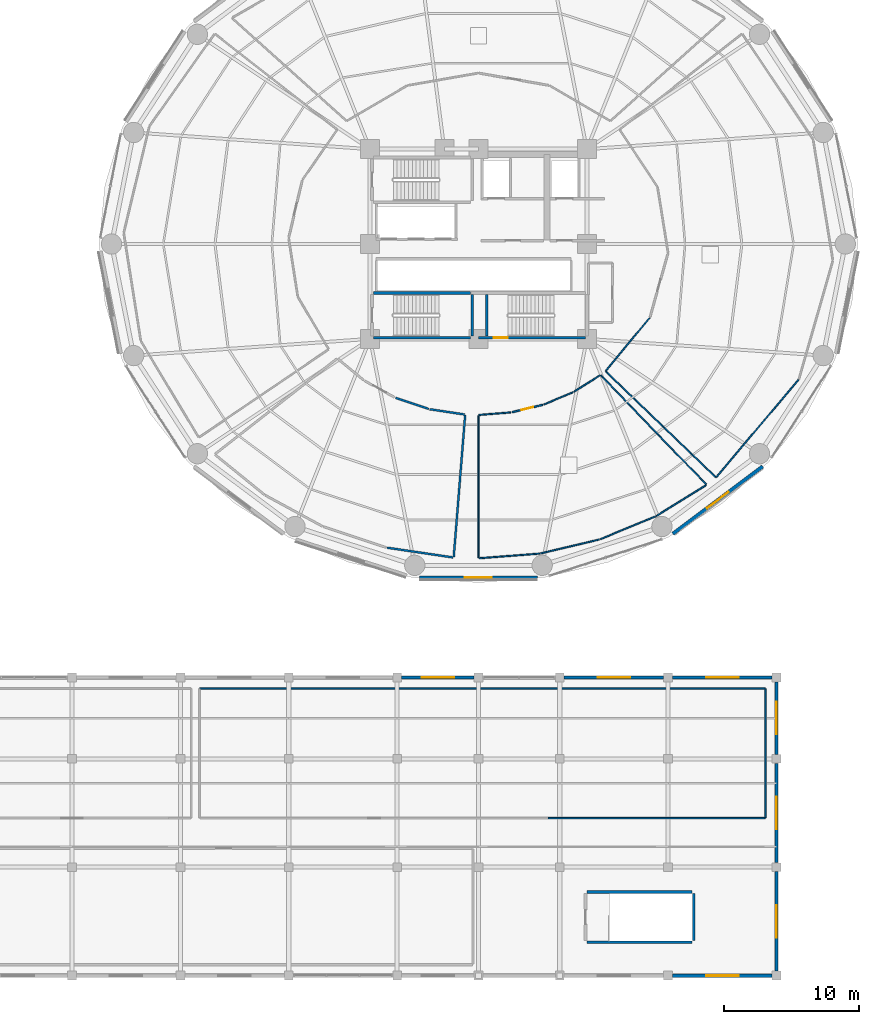
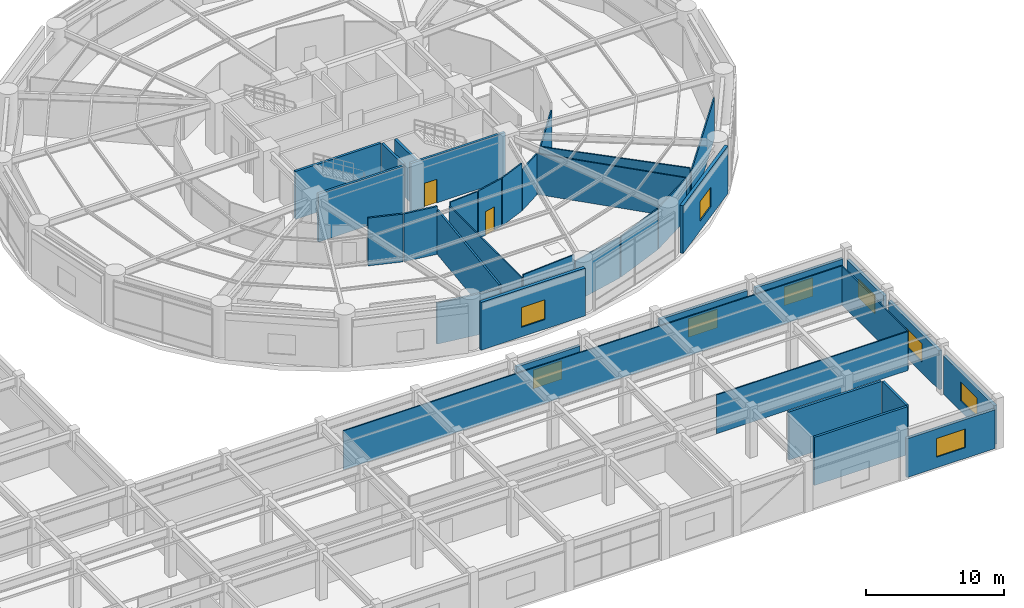
# One storey, part 38 of 46: 37 walls, 9 windows, 2 doors, 11 openings.
"""IFC4 building model written with IfcOpenShell, lengths in metres."""

import ifcopenshell
import ifcopenshell.guid

model = None  # the IFC model being written
_history = None  # IfcOwnerHistory: only IFC2X3 demands one
_inside = {}  # id of a spatial element -> (the spatial element, [elements in it])
_under = {}  # id of a project, library or spatial element -> (it, [spatial elements below it])
_declared = {}  # id of a project -> (the project, [libraries it declares])
_typed = {}  # id of a type object -> (the type object, [elements of that type])
_made_of = {}  # id of a material, layer set ... -> (it, [elements and type objects made of it])


def new_model(schema):
    """Start an empty IFC model of exactly this schema.

    Asked for "IFC4X3", IfcOpenShell would pick the latest addendum, in which some entities
    have other attributes; the version numbers below select the first issue.
    IFC2X3 requires an IfcOwnerHistory on every rooted entity: one is made here for all.
    """
    global model, _history
    if schema == "IFC4X3":
        model = ifcopenshell.file(schema_version=(4, 3, 0, 0))
    else:
        model = ifcopenshell.file(schema=schema)
    _inside.clear()
    _under.clear()
    _declared.clear()
    _typed.clear()
    _made_of.clear()
    _history = None
    if model.schema == "IFC2X3":
        org = make("IfcOrganization", Name="unknown")
        user = make(
            "IfcPersonAndOrganization",
            ThePerson=make("IfcPerson", FamilyName="unknown"),
            TheOrganization=org,
        )
        app = make(
            "IfcApplication",
            ApplicationDeveloper=org,
            Version="unknown",
            ApplicationFullName="unknown",
            ApplicationIdentifier="unknown",
        )
        _history = make(
            "IfcOwnerHistory",
            OwningUser=user,
            OwningApplication=app,
            ChangeAction="ADDED",
            CreationDate=0,
        )
    return model


def make(cls, **values):
    """One entity of the class cls with the attributes given. An attribute that is None is left unset."""
    return model.create_entity(
        cls, **{name: value for name, value in values.items() if value is not None}
    )


def rooted(cls, **values):
    """An entity with a GlobalId (a new one), such as an element, a storey or a relation."""
    return make(cls, GlobalId=ifcopenshell.guid.new(), OwnerHistory=_history, **values)


def si_unit(unit_type, name, prefix=None):
    """IfcSIUnit, for example si_unit("LENGTHUNIT", "METRE", prefix="MILLI")."""
    return make("IfcSIUnit", UnitType=unit_type, Prefix=prefix, Name=name)


def assignment(units):
    """IfcUnitAssignment: the units of a project."""
    return None if units is None else make("IfcUnitAssignment", Units=units)


def point(xyz):
    """IfcCartesianPoint."""
    return None if xyz is None else make("IfcCartesianPoint", Coordinates=xyz)


def direction(xyz):
    """IfcDirection."""
    return None if xyz is None else make("IfcDirection", DirectionRatios=xyz)


def frame(location, z_axis=None, x_axis=None):
    """IfcAxis2Placement3D, a coordinate frame: its origin and axes. An axis left out is left unset."""
    return make(
        "IfcAxis2Placement3D",
        Location=point(location),
        Axis=direction(z_axis),
        RefDirection=direction(x_axis),
    )


def frame_2d(location, x_axis=None):
    """IfcAxis2Placement2D, a coordinate frame in the plane: its origin and x axis."""
    return make(
        "IfcAxis2Placement2D", Location=point(location), RefDirection=direction(x_axis)
    )


def origin():
    """The frame at (0, 0, 0) with its axes left unset."""
    return frame((0.0, 0.0, 0.0))


def place(relative_to, where):
    """IfcLocalPlacement: puts the frame where relative to a parent placement (None: the world)."""
    return make(
        "IfcLocalPlacement", PlacementRelTo=relative_to, RelativePlacement=where
    )


def context(
    kind, dimensions, precision=None, world=None, true_north=None, identifier=None
):
    """IfcGeometricRepresentationContext, for example the 3D "Model" context."""
    return make(
        "IfcGeometricRepresentationContext",
        ContextIdentifier=identifier,
        ContextType=kind,
        CoordinateSpaceDimension=dimensions,
        Precision=precision,
        WorldCoordinateSystem=world,
        TrueNorth=true_north,
    )


def subcontext(parent, identifier, kind, view, scale=None):
    """IfcGeometricRepresentationSubContext, for example "Body" below "Model"."""
    return make(
        "IfcGeometricRepresentationSubContext",
        ContextIdentifier=identifier,
        ContextType=kind,
        ParentContext=parent,
        TargetScale=scale,
        TargetView=view,
    )


def project(units=None, contexts=None):
    """IfcProject with its units and contexts."""
    return rooted(
        "IfcProject",
        Name="project",
        RepresentationContexts=contexts,
        UnitsInContext=assignment(units),
    )


def spatial(cls, under=None, at=None, **own):
    """A site, building, storey or space (cls), placed at a placement, below another one or the project."""
    s = rooted(cls, ObjectPlacement=at, **own)
    if under is not None:
        _under.setdefault(under.id(), (under, []))[1].append(s)
    return s


def profile(cls, at=None, kind="AREA", **sizes):
    """A parametric profile (cls). Its sizes go by their IFC names, for example OverallWidth=200.0."""
    return make(cls, ProfileType=kind, Position=at, **sizes)


def rectangle(**sizes):
    """IfcRectangleProfileDef."""
    return profile("IfcRectangleProfileDef", **sizes)


def extrude(swept, where, along, depth):
    """IfcExtrudedAreaSolid: the profile swept, set in the frame where, extruded along a direction by depth."""
    return make(
        "IfcExtrudedAreaSolid",
        SweptArea=swept,
        Position=where,
        ExtrudedDirection=direction(along),
        Depth=depth,
    )


def shape(context_of_items, identifier, shape_type, items):
    """IfcShapeRepresentation: the items that make up one representation, for example the "Body"."""
    return make(
        "IfcShapeRepresentation",
        ContextOfItems=context_of_items,
        RepresentationIdentifier=identifier,
        RepresentationType=shape_type,
        Items=items,
    )


def material(Name=None, Category=None):
    """IfcMaterial."""
    return make("IfcMaterial", Name=Name, Category=Category)


def layer(
    of_material, thickness, ventilated=None, Name=None, Category=None, Priority=None
):
    """IfcMaterialLayer: one layer of a wall or slab, of a material (None: an air gap)."""
    return make(
        "IfcMaterialLayer",
        Material=of_material,
        LayerThickness=thickness,
        IsVentilated=ventilated,
        Name=Name,
        Category=Category,
        Priority=Priority,
    )


def layer_set(layers, Name=None):
    """IfcMaterialLayerSet."""
    return make("IfcMaterialLayerSet", MaterialLayers=layers, LayerSetName=Name)


def made_of(thing, what):
    """Note that an element or type object is made of a material, layer set ...; save() writes the relation."""
    if what is not None:
        _made_of.setdefault(what.id(), (what, []))[1].append(thing)
    return thing


def type_object(cls, material=None, **own):
    """A type object (cls), such as IfcWallType, which elements share."""
    return made_of(rooted(cls, **own), material)


def element(
    cls,
    number,
    at=None,
    inside=None,
    cuts=None,
    type_object=None,
    material=None,
    context=None,
    identifier="Body",
    shape_type=None,
    held_by="IfcProductDefinitionShape",
    body=None,
    shapes=None,
    **own,
):
    """One element of the class cls, such as IfcWall. Its Tag is "e" and its number.

    at: its placement. inside: the storey or other place that contains it. cuts: it is an
    opening in that element (IfcRelVoidsElement). A single representation is given by context,
    identifier, shape_type and body (its items); several are given by shapes. held_by: the class
    of the entity that holds the representations. save() writes the other relations.
    """
    e = rooted(cls, Tag="e%d" % number, ObjectPlacement=at, **own)
    if body is not None:
        shapes = [shape(context, identifier, shape_type, body)]
    if shapes is not None:
        e.Representation = make(held_by, Representations=shapes)
    if inside is not None:
        _inside.setdefault(inside.id(), (inside, []))[1].append(e)
    if cuts is not None:
        rooted(
            "IfcRelVoidsElement", RelatingBuildingElement=cuts, RelatedOpeningElement=e
        )
    if type_object is not None:
        _typed.setdefault(type_object.id(), (type_object, []))[1].append(e)
    return made_of(e, material)


def fill(opening, filler):
    """IfcRelFillsElement: the door or window that sits in an opening."""
    return rooted(
        "IfcRelFillsElement",
        RelatingOpeningElement=opening,
        RelatedBuildingElement=filler,
    )


def aggregate(whole, parts):
    """IfcRelAggregates: a whole, such as a stair, and the parts it consists of."""
    return rooted("IfcRelAggregates", RelatingObject=whole, RelatedObjects=parts)


def save(model, path):
    """Write the relations noted so far, then the file.

    IfcRelAggregates (storeys below a building ...), IfcRelContainedInSpatialStructure (elements
    in a storey), IfcRelDefinesByType, IfcRelAssociatesMaterial and IfcRelDeclares: one each for
    every whole, place, type object, material and project.
    """
    for whole, parts in _under.values():
        aggregate(whole, parts)
    for where, things in _inside.values():
        rooted(
            "IfcRelContainedInSpatialStructure",
            RelatedElements=things,
            RelatingStructure=where,
        )
    for kind, things in _typed.values():
        rooted("IfcRelDefinesByType", RelatedObjects=things, RelatingType=kind)
    for what, things in _made_of.values():
        rooted("IfcRelAssociatesMaterial", RelatedObjects=things, RelatingMaterial=what)
    for by, libraries in _declared.values():
        rooted("IfcRelDeclares", RelatingContext=by, RelatedDefinitions=libraries)
    model.write(path)


model = new_model("IFC4")

# Units and contexts
model_context = context("Model", 3, precision=1e-05, world=origin(), true_north=direction((0.0, 1.0)))
body_context = subcontext(model_context, "Body", "Model", "MODEL_VIEW")
ifc_project = project(units=[si_unit("LENGTHUNIT", "METRE"), si_unit("AREAUNIT", "SQUARE_METRE"), si_unit("VOLUMEUNIT", "CUBIC_METRE"), si_unit("PLANEANGLEUNIT", "RADIAN"), si_unit("MASSUNIT", "GRAM", prefix="KILO")], contexts=[model_context])

# Site, building, storey
site_placement = place(None, origin())
site = spatial("IfcSite", under=ifc_project, at=site_placement, CompositionType="ELEMENT")
building_placement = place(site_placement, origin())
building = spatial("IfcBuilding", under=site, at=building_placement, Name="Kelanora Arch Commons", CompositionType="ELEMENT")
storey_placement = place(building_placement, frame((0.0, 0.0, 18.0)))
storey = spatial("IfcBuildingStorey", under=building, at=storey_placement, Name="L04", CompositionType="ELEMENT", Elevation=18.0)

# Walls
ifc_material_1 = material(Name="Autoclaved aerated concrete blockwork with fire plaster", Category="masonry")
ifc_layer_1 = layer(ifc_material_1, 0.14990234375)
ifc_layer_set_1 = layer_set([ifc_layer_1], Name="Autoclaved aerated concrete blockwork with fire plaster")
wall_type_1 = type_object("IfcWallType", Name="W-COMP-150", PredefinedType="PARTITIONING", material=ifc_layer_set_1)
wall_1_placement = place(storey_placement, frame((67.891845703125, 46.644287109375, 0.0), z_axis=(0.0, 0.0, 1.0), x_axis=(0.947769420815, -0.318956305735, 0.0)))
element("IfcWall", 1, at=wall_1_placement, inside=storey, type_object=wall_type_1, Name="Podium Student Trunk and Linen Store L04 Enclosure Partition 3", PredefinedType="PARTITIONING", context=body_context, shape_type="SweptSolid", body=[
    extrude(rectangle(XDim=2.57568359375, YDim=0.14990234375, at=frame_2d((1.287841796875, 0.0))), origin(), (0.0, 0.0, 1.0), 4.22998046875),
])
wall_2_placement = place(storey_placement, frame((70.41064453125, 45.803955078125, 0.0), z_axis=(0.0, 0.0, 1.0), x_axis=(0.988868771435, -0.148790298341, 0.0)))
element("IfcWall", 2, at=wall_2_placement, inside=storey, type_object=wall_type_1, Name="Podium Student Trunk and Linen Store L04 Enclosure Partition 4", PredefinedType="PARTITIONING", context=body_context, shape_type="SweptSolid", body=[
    extrude(rectangle(XDim=2.600830078125, YDim=0.14990234375, at=frame_2d((1.30029296875, 0.0))), origin(), (0.0, 0.0, 1.0), 4.22998046875),
])
wall_3_placement = place(storey_placement, frame((73.018798828125, 45.37109375, 0.0), z_axis=(0.0, 0.0, 1.0), x_axis=(-0.080272494624, -0.996772956398, 0.0)))
element("IfcWall", 3, at=wall_3_placement, inside=storey, type_object=wall_type_1, Name="Podium Student Trunk and Linen Store L04 Enclosure Partition 5", PredefinedType="PARTITIONING", context=body_context, shape_type="SweptSolid", body=[
    extrude(rectangle(XDim=10.508056640625, YDim=0.14990234375, at=frame_2d((5.25390625, 0.0))), origin(), (0.0, 0.0, 1.0), 3.925048828125),
])
wall_4_placement = place(storey_placement, frame((72.13232421875, 34.86279296875, 0.0), z_axis=(0.0, 0.0, 1.0), x_axis=(-0.989192551677, 0.146622289256, 0.0)))
element("IfcWall", 4, at=wall_4_placement, inside=storey, type_object=wall_type_1, Name="Podium Student Trunk and Linen Store L04 Enclosure Partition 6", PredefinedType="PARTITIONING", context=body_context, shape_type="SweptSolid", body=[
    extrude(rectangle(XDim=4.927001953125, YDim=0.14990234375, at=frame_2d((2.46337890625, 0.0))), origin(), (0.0, 0.0, 1.0), 3.625),
])

# Wall, opening, window
ifc_material_2 = material(Name="Precast concrete C40/50 with terracotta ceramic cladding", Category="masonry")
ifc_layer_2 = layer(ifc_material_2, 0.25)
ifc_layer_set_2 = layer_set([ifc_layer_2], Name="Precast concrete C40/50 with terracotta ceramic cladding")
wall_type_2 = type_object("IfcWallType", Name="W-EXT-MKT", PredefinedType="SOLIDWALL", material=ifc_layer_set_2)
wall_5_placement = place(storey_placement, frame((88.330078125, 4.0, 0.0), z_axis=(0.0, 0.0, 1.0), x_axis=(1.0, 0.0, 0.0)))
wall_5 = element("IfcWall", 5, at=wall_5_placement, inside=storey, type_object=wall_type_2, Name="Market Hall Exterior Wall L04-11", PredefinedType="SOLIDWALL", context=body_context, shape_type="SweptSolid", body=[
    extrude(rectangle(XDim=7.33984375, YDim=0.25, at=frame_2d((3.669921875, 0.0))), origin(), (0.0, 0.0, 1.0), 3.43994140625),
])
opening_1_placement = place(wall_5_placement, frame((2.469970703125, 0.0, 0.949951171875)))
opening_1 = element("IfcOpeningElement", 6, at=opening_1_placement, cuts=wall_5, Name="Opening WN-03", PredefinedType="OPENING", context=body_context, shape_type="SweptSolid", body=[
    extrude(rectangle(XDim=2.39990234375, YDim=1.64990234375, at=frame_2d((1.199951171875, 0.824951171875))), frame((0.0, 0.135009765625, 0.0), z_axis=(0.0, -1.0, 0.0), x_axis=(1.0, 0.0, 0.0)), (0.0, 0.0, 1.0), 0.27001953125),
])
ifc_material_3 = material(Name="Bronze-terracotta aluminium monsoon clerestory window", Category="masonry")
window_type_1 = type_object("IfcWindowType", Name="WIN-MKT-24", PartitioningType="TRIPLE_PANEL_VERTICAL", PredefinedType="WINDOW", material=ifc_material_3)
window_1_placement = place(opening_1_placement, origin())
window_1 = element("IfcWindow", 7, at=window_1_placement, inside=storey, type_object=window_type_1, Name="Market Hall Clerestory Window L04-11", OverallHeight=1.64990234375, OverallWidth=2.39990234375, PartitioningType="SINGLE_PANEL", PredefinedType="WINDOW", context=body_context, shape_type="SweptSolid", body=[
    extrude(rectangle(XDim=2.39990234375, YDim=1.64990234375, at=frame_2d((1.199951171875, 0.824951171875))), frame((0.0, 0.030029296875, 0.0), z_axis=(0.0, -1.0, 0.0), x_axis=(1.0, 0.0, 0.0)), (0.0, 0.0, 1.0), 0.06005859375),
])
fill(opening_1, window_1)

wall_6_placement = place(storey_placement, frame((96.0, 4.330078125, 0.0), z_axis=(0.0, 0.0, 1.0), x_axis=(0.0, 1.0, 0.0)))
wall_6 = element("IfcWall", 8, at=wall_6_placement, inside=storey, type_object=wall_type_2, Name="Market Hall Exterior Wall L04-12", PredefinedType="SOLIDWALL", context=body_context, shape_type="SweptSolid", body=[
    extrude(rectangle(XDim=7.33984375, YDim=0.25, at=frame_2d((3.669921875, 0.0))), origin(), (0.0, 0.0, 1.0), 3.43994140625),
])
opening_2_placement = place(wall_6_placement, frame((2.469970703125, 0.0, 0.949951171875)))
opening_2 = element("IfcOpeningElement", 9, at=opening_2_placement, cuts=wall_6, Name="Opening WN-03", PredefinedType="OPENING", context=body_context, shape_type="SweptSolid", body=[
    extrude(rectangle(XDim=2.39990234375, YDim=1.64990234375, at=frame_2d((1.199951171875, 0.824951171875))), frame((0.0, 0.135009765625, 0.0), z_axis=(0.0, -1.0, 0.0), x_axis=(1.0, 0.0, 0.0)), (0.0, 0.0, 1.0), 0.27001953125),
])
window_2_placement = place(opening_2_placement, origin())
window_2 = element("IfcWindow", 10, at=window_2_placement, inside=storey, type_object=window_type_1, Name="Market Hall Clerestory Window L04-12", OverallHeight=1.64990234375, OverallWidth=2.39990234375, PartitioningType="SINGLE_PANEL", PredefinedType="WINDOW", context=body_context, shape_type="SweptSolid", body=[
    extrude(rectangle(XDim=2.39990234375, YDim=1.64990234375, at=frame_2d((1.199951171875, 0.824951171875))), frame((0.0, 0.030029296875, 0.0), z_axis=(0.0, -1.0, 0.0), x_axis=(1.0, 0.0, 0.0)), (0.0, 0.0, 1.0), 0.06005859375),
])
fill(opening_2, window_2)

wall_7_placement = place(storey_placement, frame((96.0, 12.330078125, 0.0), z_axis=(0.0, 0.0, 1.0), x_axis=(0.0, 1.0, 0.0)))
wall_7 = element("IfcWall", 11, at=wall_7_placement, inside=storey, type_object=wall_type_2, Name="Market Hall Exterior Wall L04-13", PredefinedType="SOLIDWALL", context=body_context, shape_type="SweptSolid", body=[
    extrude(rectangle(XDim=7.33984375, YDim=0.25, at=frame_2d((3.669921875, 0.0))), origin(), (0.0, 0.0, 1.0), 3.43994140625),
])
opening_3_placement = place(wall_7_placement, frame((2.469970703125, 0.0, 0.949951171875)))
opening_3 = element("IfcOpeningElement", 12, at=opening_3_placement, cuts=wall_7, Name="Opening WN-03", PredefinedType="OPENING", context=body_context, shape_type="SweptSolid", body=[
    extrude(rectangle(XDim=2.39990234375, YDim=1.64990234375, at=frame_2d((1.199951171875, 0.824951171875))), frame((0.0, 0.135009765625, 0.0), z_axis=(0.0, -1.0, 0.0), x_axis=(1.0, 0.0, 0.0)), (0.0, 0.0, 1.0), 0.27001953125),
])
window_3_placement = place(opening_3_placement, origin())
window_3 = element("IfcWindow", 13, at=window_3_placement, inside=storey, type_object=window_type_1, Name="Market Hall Clerestory Window L04-13", OverallHeight=1.64990234375, OverallWidth=2.39990234375, PartitioningType="SINGLE_PANEL", PredefinedType="WINDOW", context=body_context, shape_type="SweptSolid", body=[
    extrude(rectangle(XDim=2.39990234375, YDim=1.64990234375, at=frame_2d((1.199951171875, 0.824951171875))), frame((0.0, 0.030029296875, 0.0), z_axis=(0.0, -1.0, 0.0), x_axis=(1.0, 0.0, 0.0)), (0.0, 0.0, 1.0), 0.06005859375),
])
fill(opening_3, window_3)

wall_8_placement = place(storey_placement, frame((96.0, 20.330078125, 0.0), z_axis=(0.0, 0.0, 1.0), x_axis=(0.0, 1.0, 0.0)))
wall_8 = element("IfcWall", 14, at=wall_8_placement, inside=storey, type_object=wall_type_2, Name="Market Hall Exterior Wall L04-14", PredefinedType="SOLIDWALL", context=body_context, shape_type="SweptSolid", body=[
    extrude(rectangle(XDim=5.33984375, YDim=0.25, at=frame_2d((2.669921875, 0.0))), origin(), (0.0, 0.0, 1.0), 3.43994140625),
])
opening_4_placement = place(wall_8_placement, frame((1.469970703125, 0.0, 0.949951171875)))
opening_4 = element("IfcOpeningElement", 15, at=opening_4_placement, cuts=wall_8, Name="Opening WN-03", PredefinedType="OPENING", context=body_context, shape_type="SweptSolid", body=[
    extrude(rectangle(XDim=2.39990234375, YDim=1.64990234375, at=frame_2d((1.199951171875, 0.824951171875))), frame((0.0, 0.135009765625, 0.0), z_axis=(0.0, -1.0, 0.0), x_axis=(1.0, 0.0, 0.0)), (0.0, 0.0, 1.0), 0.27001953125),
])
window_4_placement = place(opening_4_placement, origin())
window_4 = element("IfcWindow", 16, at=window_4_placement, inside=storey, type_object=window_type_1, Name="Market Hall Clerestory Window L04-14", OverallHeight=1.64990234375, OverallWidth=2.39990234375, PartitioningType="SINGLE_PANEL", PredefinedType="WINDOW", context=body_context, shape_type="SweptSolid", body=[
    extrude(rectangle(XDim=2.39990234375, YDim=1.64990234375, at=frame_2d((1.199951171875, 0.824951171875))), frame((0.0, 0.030029296875, 0.0), z_axis=(0.0, -1.0, 0.0), x_axis=(1.0, 0.0, 0.0)), (0.0, 0.0, 1.0), 0.06005859375),
])
fill(opening_4, window_4)

wall_9_placement = place(storey_placement, frame((95.669921875, 26.0, 0.0), z_axis=(0.0, 0.0, 1.0), x_axis=(-1.0, 0.0, 0.0)))
wall_9 = element("IfcWall", 17, at=wall_9_placement, inside=storey, type_object=wall_type_2, Name="Market Hall Exterior Wall L04-15", PredefinedType="SOLIDWALL", context=body_context, shape_type="SweptSolid", body=[
    extrude(rectangle(XDim=7.33984375, YDim=0.25, at=frame_2d((3.669921875, 0.0))), origin(), (0.0, 0.0, 1.0), 3.43994140625),
])
opening_5_placement = place(wall_9_placement, frame((2.469970703125, 0.0, 0.949951171875)))
opening_5 = element("IfcOpeningElement", 18, at=opening_5_placement, cuts=wall_9, Name="Opening WN-03", PredefinedType="OPENING", context=body_context, shape_type="SweptSolid", body=[
    extrude(rectangle(XDim=2.39990234375, YDim=1.64990234375, at=frame_2d((1.199951171875, 0.824951171875))), frame((0.0, 0.135009765625, 0.0), z_axis=(0.0, -1.0, 0.0), x_axis=(1.0, 0.0, 0.0)), (0.0, 0.0, 1.0), 0.27001953125),
])
window_5_placement = place(opening_5_placement, origin())
window_5 = element("IfcWindow", 19, at=window_5_placement, inside=storey, type_object=window_type_1, Name="Market Hall Clerestory Window L04-15", OverallHeight=1.64990234375, OverallWidth=2.39990234375, PartitioningType="SINGLE_PANEL", PredefinedType="WINDOW", context=body_context, shape_type="SweptSolid", body=[
    extrude(rectangle(XDim=2.39990234375, YDim=1.64990234375, at=frame_2d((1.199951171875, 0.824951171875))), frame((0.0, 0.030029296875, 0.0), z_axis=(0.0, -1.0, 0.0), x_axis=(1.0, 0.0, 0.0)), (0.0, 0.0, 1.0), 0.06005859375),
])
fill(opening_5, window_5)

wall_10_placement = place(storey_placement, frame((87.669921875, 26.0, 0.0), z_axis=(0.0, 0.0, 1.0), x_axis=(-1.0, 0.0, 0.0)))
wall_10 = element("IfcWall", 20, at=wall_10_placement, inside=storey, type_object=wall_type_2, Name="Market Hall Exterior Wall L04-16", PredefinedType="SOLIDWALL", context=body_context, shape_type="SweptSolid", body=[
    extrude(rectangle(XDim=7.33984375, YDim=0.25, at=frame_2d((3.669921875, 0.0))), origin(), (0.0, 0.0, 1.0), 3.43994140625),
])
opening_6_placement = place(wall_10_placement, frame((2.469970703125, 0.0, 0.949951171875)))
opening_6 = element("IfcOpeningElement", 21, at=opening_6_placement, cuts=wall_10, Name="Opening WN-03", PredefinedType="OPENING", context=body_context, shape_type="SweptSolid", body=[
    extrude(rectangle(XDim=2.39990234375, YDim=1.64990234375, at=frame_2d((1.199951171875, 0.824951171875))), frame((0.0, 0.135009765625, 0.0), z_axis=(0.0, -1.0, 0.0), x_axis=(1.0, 0.0, 0.0)), (0.0, 0.0, 1.0), 0.27001953125),
])
window_6_placement = place(opening_6_placement, origin())
window_6 = element("IfcWindow", 22, at=window_6_placement, inside=storey, type_object=window_type_1, Name="Market Hall Clerestory Window L04-16", OverallHeight=1.64990234375, OverallWidth=2.39990234375, PartitioningType="SINGLE_PANEL", PredefinedType="WINDOW", context=body_context, shape_type="SweptSolid", body=[
    extrude(rectangle(XDim=2.39990234375, YDim=1.64990234375, at=frame_2d((1.199951171875, 0.824951171875))), frame((0.0, 0.030029296875, 0.0), z_axis=(0.0, -1.0, 0.0), x_axis=(1.0, 0.0, 0.0)), (0.0, 0.0, 1.0), 0.06005859375),
])
fill(opening_6, window_6)

wall_11_placement = place(storey_placement, frame((73.669921875, 26.0, 0.0), z_axis=(0.0, 0.0, 1.0), x_axis=(-1.0, 0.0, 0.0)))
wall_11 = element("IfcWall", 23, at=wall_11_placement, inside=storey, type_object=wall_type_2, Name="Market Hall Exterior Wall L04-18", PredefinedType="SOLIDWALL", context=body_context, shape_type="SweptSolid", body=[
    extrude(rectangle(XDim=5.33984375, YDim=0.25, at=frame_2d((2.669921875, 0.0))), origin(), (0.0, 0.0, 1.0), 3.43994140625),
])
opening_7_placement = place(wall_11_placement, frame((1.469970703125, 0.0, 0.949951171875)))
opening_7 = element("IfcOpeningElement", 24, at=opening_7_placement, cuts=wall_11, Name="Opening WN-03", PredefinedType="OPENING", context=body_context, shape_type="SweptSolid", body=[
    extrude(rectangle(XDim=2.39990234375, YDim=1.64990234375, at=frame_2d((1.199951171875, 0.824951171875))), frame((0.0, 0.135009765625, 0.0), z_axis=(0.0, -1.0, 0.0), x_axis=(1.0, 0.0, 0.0)), (0.0, 0.0, 1.0), 0.27001953125),
])
window_7_placement = place(opening_7_placement, origin())
window_7 = element("IfcWindow", 25, at=window_7_placement, inside=storey, type_object=window_type_1, Name="Market Hall Clerestory Window L04-18", OverallHeight=1.64990234375, OverallWidth=2.39990234375, PartitioningType="SINGLE_PANEL", PredefinedType="WINDOW", context=body_context, shape_type="SweptSolid", body=[
    extrude(rectangle(XDim=2.39990234375, YDim=1.64990234375, at=frame_2d((1.199951171875, 0.824951171875))), frame((0.0, 0.030029296875, 0.0), z_axis=(0.0, -1.0, 0.0), x_axis=(1.0, 0.0, 0.0)), (0.0, 0.0, 1.0), 0.06005859375),
])
fill(opening_7, window_7)

ifc_material_4 = material(Name="Precast concrete C40/50 with terracotta rainscreen", Category="masonry")
ifc_layer_3 = layer(ifc_material_4, 0.260009765625)
ifc_layer_set_3 = layer_set([ifc_layer_3], Name="Precast concrete C40/50 with terracotta rainscreen")
wall_type_3 = type_object("IfcWallType", Name="W-EXT-TC", PredefinedType="SOLIDWALL", material=ifc_layer_set_3)
wall_12_placement = place(storey_placement, frame((69.64404296875, 33.3798828125, 0.0), z_axis=(0.0, 0.0, 1.0), x_axis=(1.0, 0.0, 0.0)))
wall_12 = element("IfcWall", 26, at=wall_12_placement, inside=storey, type_object=wall_type_3, Name="Terracotta Exterior Wall L04-B13", PredefinedType="SOLIDWALL", context=body_context, shape_type="SweptSolid", body=[
    extrude(rectangle(XDim=8.7119140625, YDim=0.260009765625, at=frame_2d((4.35595703125, 0.0))), origin(), (0.0, 0.0, 1.0), 4.22509765625),
])
opening_8_placement = place(wall_12_placement, frame((3.35595703125, 0.0, 0.85009765625)))
opening_8 = element("IfcOpeningElement", 27, at=opening_8_placement, cuts=wall_12, Name="Opening WN-05", PredefinedType="OPENING", context=body_context, shape_type="SweptSolid", body=[
    extrude(rectangle(XDim=2.0, YDim=1.75, at=frame_2d((1.0, 0.875))), frame((0.0, 0.14013671875, 0.0), z_axis=(0.0, -1.0, 0.0), x_axis=(1.0, 0.0, 0.0)), (0.0, 0.0, 1.0), 0.280029296875),
])
ifc_material_5 = material(Name="Terracotta-anodised aluminium podium window", Category="masonry")
window_type_2 = type_object("IfcWindowType", Name="WIN-POD-20", PartitioningType="TRIPLE_PANEL_VERTICAL", PredefinedType="WINDOW", material=ifc_material_5)
window_8_placement = place(opening_8_placement, origin())
window_8 = element("IfcWindow", 28, at=window_8_placement, inside=storey, type_object=window_type_2, Name="Podium Window L04-B13", OverallHeight=1.75, OverallWidth=2.0, PartitioningType="SINGLE_PANEL", PredefinedType="WINDOW", context=body_context, shape_type="SweptSolid", body=[
    extrude(rectangle(XDim=2.0, YDim=1.75, at=frame_2d((1.0, 0.875))), frame((0.0, 0.030029296875, 0.0), z_axis=(0.0, -1.0, 0.0), x_axis=(1.0, 0.0, 0.0)), (0.0, 0.0, 1.0), 0.06005859375),
])
fill(opening_8, window_8)

wall_13_placement = place(storey_placement, frame((88.348876953125, 36.61083984375, 0.0), z_axis=(0.0, 0.0, 1.0), x_axis=(0.80030733173, 0.599590005569, 0.0)))
wall_13 = element("IfcWall", 29, at=wall_13_placement, inside=storey, type_object=wall_type_3, Name="Terracotta Exterior Wall L04-B15", PredefinedType="SOLIDWALL", context=body_context, shape_type="SweptSolid", body=[
    extrude(rectangle(XDim=8.29052734375, YDim=0.260009765625, at=frame_2d((4.145263671875, 0.0))), origin(), (0.0, 0.0, 1.0), 4.22509765625),
])
opening_9_placement = place(wall_13_placement, frame((3.14501953125, 0.0, 0.85009765625)))
opening_9 = element("IfcOpeningElement", 30, at=opening_9_placement, cuts=wall_13, Name="Opening WN-05", PredefinedType="OPENING", context=body_context, shape_type="SweptSolid", body=[
    extrude(rectangle(XDim=2.0, YDim=1.75, at=frame_2d((1.0, 0.875))), frame((0.0, 0.14013671875, 0.0), z_axis=(0.0, -1.0, 0.0), x_axis=(1.0, 0.0, 0.0)), (0.0, 0.0, 1.0), 0.280029296875),
])
window_9_placement = place(opening_9_placement, origin())
window_9 = element("IfcWindow", 31, at=window_9_placement, inside=storey, type_object=window_type_2, Name="Podium Window L04-B15", OverallHeight=1.75, OverallWidth=2.0, PartitioningType="SINGLE_PANEL", PredefinedType="WINDOW", context=body_context, shape_type="SweptSolid", body=[
    extrude(rectangle(XDim=2.0, YDim=1.75, at=frame_2d((1.0, 0.875))), frame((0.0, 0.030029296875, 0.0), z_axis=(0.0, -1.0, 0.0), x_axis=(1.0, 0.0, 0.0)), (0.0, 0.0, 1.0), 0.06005859375),
])
fill(opening_9, window_9)

# Walls
ifc_material_6 = material(Name="Lightweight fire-rated acoustic stud partition")
ifc_layer_4 = layer(ifc_material_6, 0.10009765625)
ifc_layer_set_4 = layer_set([ifc_layer_4], Name="Lightweight fire-rated acoustic stud partition")
wall_type_4 = type_object("IfcWallType", Name="W-PART-100", PredefinedType="PARTITIONING", material=ifc_layer_set_4)
wall_14_placement = place(storey_placement, frame((79.139892578125, 15.6201171875, 0.0), z_axis=(0.0, 0.0, 1.0), x_axis=(1.0, 0.0, 0.0)))
element("IfcWall", 32, at=wall_14_placement, inside=storey, type_object=wall_type_4, Name="Market Cooperative Administration Office L04 Enclosure Partition 1", PredefinedType="PARTITIONING", context=body_context, shape_type="SweptSolid", body=[
    extrude(rectangle(XDim=16.02001953125, YDim=0.10009765625, at=frame_2d((8.010009765625, 0.0))), origin(), (0.0, 0.0, 1.0), 3.445068359375),
])
wall_15_placement = place(storey_placement, frame((95.199951171875, 15.659912109375, 0.0), z_axis=(0.0, 0.0, 1.0), x_axis=(0.0, 1.0, 0.0)))
element("IfcWall", 33, at=wall_15_placement, inside=storey, type_object=wall_type_4, Name="Market Cooperative Administration Office L04 Enclosure Partition 2", PredefinedType="PARTITIONING", context=body_context, shape_type="SweptSolid", body=[
    extrude(rectangle(XDim=9.5, YDim=0.10009765625, at=frame_2d((4.75, 0.0))), origin(), (0.0, 0.0, 1.0), 3.445068359375),
])
wall_16_placement = place(storey_placement, frame((95.159912109375, 25.199951171875, 0.0), z_axis=(0.0, 0.0, 1.0), x_axis=(-1.0, 0.0, 0.0)))
element("IfcWall", 34, at=wall_16_placement, inside=storey, type_object=wall_type_4, Name="Market Cooperative Administration Office L04 Enclosure Partition 3", PredefinedType="PARTITIONING", context=body_context, shape_type="SweptSolid", body=[
    extrude(rectangle(XDim=41.719970703125, YDim=0.10009765625, at=frame_2d((20.85986328125, 0.0))), origin(), (0.0, 0.0, 1.0), 3.445068359375),
])
wall_17_placement = place(storey_placement, frame((83.406494140625, 48.65283203125, 0.0), z_axis=(0.0, 0.0, 1.0), x_axis=(0.638526743423, 0.769599634832, 0.0)))
element("IfcWall", 35, at=wall_17_placement, inside=storey, type_object=wall_type_4, Name="Student Co-Working and Study Commons L04-A Enclosure Partition 1", PredefinedType="PARTITIONING", context=body_context, shape_type="SweptSolid", body=[
    extrude(rectangle(XDim=5.0458984375, YDim=0.10009765625, at=frame_2d((2.52294921875, 0.0))), origin(), (0.0, 0.0, 1.0), 3.625),
])
wall_18_placement = place(storey_placement, frame((97.622314453125, 47.9814453125, 0.0), z_axis=(0.0, 0.0, 1.0), x_axis=(-0.64470133806, -0.764434552269, 0.0)))
element("IfcWall", 36, at=wall_18_placement, inside=storey, type_object=wall_type_4, Name="Student Co-Working and Study Commons L04-A Enclosure Partition 9", PredefinedType="PARTITIONING", context=body_context, shape_type="SweptSolid", body=[
    extrude(rectangle(XDim=9.408203125, YDim=0.10009765625, at=frame_2d((4.7041015625, 0.0))), origin(), (0.0, 0.0, 1.0), 3.625),
])
wall_19_placement = place(storey_placement, frame((91.502197265625, 40.786865234375, 0.0), z_axis=(0.0, 0.0, 1.0), x_axis=(-0.719662166332, 0.694324395618, 0.0)))
element("IfcWall", 37, at=wall_19_placement, inside=storey, type_object=wall_type_4, Name="Student Co-Working and Study Commons L04-A Enclosure Partition 10", PredefinedType="PARTITIONING", context=body_context, shape_type="SweptSolid", body=[
    extrude(rectangle(XDim=11.24462890625, YDim=0.10009765625, at=frame_2d((5.622314453125, 0.0))), origin(), (0.0, 0.0, 1.0), 3.925048828125),
])
wall_20_placement = place(storey_placement, frame((74.039794921875, 45.383056640625, 0.0), z_axis=(0.0, 0.0, 1.0), x_axis=(0.996903054033, 0.078640325917, 0.0)))
element("IfcWall", 38, at=wall_20_placement, inside=storey, type_object=wall_type_4, Name="Quiet Library Reading Gallery L04-D Enclosure Partition 1", PredefinedType="PARTITIONING", context=body_context, shape_type="SweptSolid", body=[
    extrude(rectangle(XDim=2.362548828125, YDim=0.10009765625, at=frame_2d((1.18115234375, 0.0))), origin(), (0.0, 0.0, 1.0), 4.22998046875),
])
wall_21_placement = place(storey_placement, frame((78.831787109375, 46.156494140625, 0.0), z_axis=(0.0, 0.0, 1.0), x_axis=(0.922050399206, 0.387069840369, 0.0)))
element("IfcWall", 39, at=wall_21_placement, inside=storey, type_object=wall_type_4, Name="Quiet Library Reading Gallery L04-D Enclosure Partition 3", PredefinedType="PARTITIONING", context=body_context, shape_type="SweptSolid", body=[
    extrude(rectangle(XDim=2.322265625, YDim=0.10009765625, at=frame_2d((1.1611328125, 0.0))), origin(), (0.0, 0.0, 1.0), 4.22998046875),
])
wall_22_placement = place(storey_placement, frame((81.043701171875, 47.09228515625, 0.0), z_axis=(0.0, 0.0, 1.0), x_axis=(0.845952823598, 0.533257742791, 0.0)))
element("IfcWall", 40, at=wall_22_placement, inside=storey, type_object=wall_type_4, Name="Quiet Library Reading Gallery L04-D Enclosure Partition 4", PredefinedType="PARTITIONING", context=body_context, shape_type="SweptSolid", body=[
    extrude(rectangle(XDim=2.286865234375, YDim=0.10009765625, at=frame_2d((1.1435546875, 0.0))), origin(), (0.0, 0.0, 1.0), 3.625),
])
wall_23_placement = place(storey_placement, frame((83.039794921875, 48.30419921875, 0.0), z_axis=(0.0, 0.0, 1.0), x_axis=(0.694759604878, -0.719242025628, 0.0)))
element("IfcWall", 41, at=wall_23_placement, inside=storey, type_object=wall_type_4, Name="Quiet Library Reading Gallery L04-D Enclosure Partition 5", PredefinedType="PARTITIONING", context=body_context, shape_type="SweptSolid", body=[
    extrude(rectangle(XDim=11.188720703125, YDim=0.10009765625, at=frame_2d((5.59423828125, 0.0))), origin(), (0.0, 0.0, 1.0), 3.625),
])
wall_24_placement = place(storey_placement, frame((90.806884765625, 40.206787109375, 0.0), z_axis=(0.0, 0.0, 1.0), x_axis=(-0.849859173494, -0.527009853066, 0.0)))
element("IfcWall", 42, at=wall_24_placement, inside=storey, type_object=wall_type_4, Name="Quiet Library Reading Gallery L04-D Enclosure Partition 6", PredefinedType="PARTITIONING", context=body_context, shape_type="SweptSolid", body=[
    extrude(rectangle(XDim=4.32177734375, YDim=0.10009765625, at=frame_2d((2.160888671875, 0.0))), origin(), (0.0, 0.0, 1.0), 3.625),
])
wall_25_placement = place(storey_placement, frame((87.06298828125, 37.892578125, 0.0), z_axis=(0.0, 0.0, 1.0), x_axis=(-0.924323585576, -0.381609629264, 0.0)))
element("IfcWall", 43, at=wall_25_placement, inside=storey, type_object=wall_type_4, Name="Quiet Library Reading Gallery L04-D Enclosure Partition 7", PredefinedType="PARTITIONING", context=body_context, shape_type="SweptSolid", body=[
    extrude(rectangle(XDim=4.397705078125, YDim=0.10009765625, at=frame_2d((2.19873046875, 0.0))), origin(), (0.0, 0.0, 1.0), 3.625),
])
wall_26_placement = place(storey_placement, frame((82.922119140625, 36.189697265625, 0.0), z_axis=(0.0, 0.0, 1.0), x_axis=(-0.972965966702, -0.230948538944, 0.0)))
element("IfcWall", 44, at=wall_26_placement, inside=storey, type_object=wall_type_4, Name="Quiet Library Reading Gallery L04-D Enclosure Partition 8", PredefinedType="PARTITIONING", context=body_context, shape_type="SweptSolid", body=[
    extrude(rectangle(XDim=4.45361328125, YDim=0.10009765625, at=frame_2d((2.226806640625, 0.0))), origin(), (0.0, 0.0, 1.0), 3.625),
])
wall_27_placement = place(storey_placement, frame((78.510009765625, 35.14892578125, 0.0), z_axis=(0.0, 0.0, 1.0), x_axis=(-0.997018824321, -0.077158693286, 0.0)))
element("IfcWall", 45, at=wall_27_placement, inside=storey, type_object=wall_type_4, Name="Quiet Library Reading Gallery L04-D Enclosure Partition 9", PredefinedType="PARTITIONING", context=body_context, shape_type="SweptSolid", body=[
    extrude(rectangle(XDim=4.483642578125, YDim=0.10009765625, at=frame_2d((2.24169921875, 0.0))), origin(), (0.0, 0.0, 1.0), 4.22998046875),
])
wall_28_placement = place(storey_placement, frame((74.0, 34.840087890625, 0.0), z_axis=(0.0, 0.0, 1.0), x_axis=(0.0, 1.0, 0.0)))
element("IfcWall", 46, at=wall_28_placement, inside=storey, type_object=wall_type_4, Name="Quiet Library Reading Gallery L04-D Enclosure Partition 10", PredefinedType="PARTITIONING", context=body_context, shape_type="SweptSolid", body=[
    extrude(rectangle(XDim=10.5, YDim=0.10009765625, at=frame_2d((5.25, 0.0))), origin(), (0.0, 0.0, 1.0), 3.925048828125),
])

# Wall, opening, door
ifc_material_7 = material(Name="Acoustic twin-stud fire-rated gypsum partition")
ifc_layer_5 = layer(ifc_material_7, 0.1201171875)
ifc_layer_set_5 = layer_set([ifc_layer_5], Name="Acoustic twin-stud fire-rated gypsum partition")
wall_type_5 = type_object("IfcWallType", Name="W-PART-120", PredefinedType="PARTITIONING", material=ifc_layer_set_5)
wall_29_placement = place(storey_placement, frame((76.493408203125, 45.586181640625, 0.0), z_axis=(0.0, 0.0, 1.0), x_axis=(0.972155386029, 0.23433716183, 0.0)))
wall_29 = element("IfcWall", 47, at=wall_29_placement, inside=storey, type_object=wall_type_5, Name="Quiet Library Reading Gallery L04-D Entry Partition", PredefinedType="PARTITIONING", context=body_context, shape_type="SweptSolid", body=[
    extrude(rectangle(XDim=2.3076171875, YDim=0.1201171875, at=frame_2d((1.15380859375, 0.0))), origin(), (0.0, 0.0, 1.0), 4.22998046875),
])
opening_10_placement = place(wall_29_placement, frame((0.7041015625, 0.0, 0.0)))
opening_10 = element("IfcOpeningElement", 48, at=opening_10_placement, cuts=wall_29, Name="Opening D-RM1", PredefinedType="OPENING", context=body_context, shape_type="SweptSolid", body=[
    extrude(rectangle(XDim=0.89990234375, YDim=2.080078125, at=frame_2d((0.449951171875, 1.0400390625))), frame((0.0, 0.070068359375, 0.0), z_axis=(0.0, -1.0, 0.0), x_axis=(1.0, 0.0, 0.0)), (0.0, 0.0, 1.0), 0.14013671875),
])
ifc_material_8 = material(Name="Acoustic fire-rated timber study and lounge door", Category="wood")
door_type_1 = type_object("IfcDoorType", Name="D-ROOM-90", OperationType="NOTDEFINED", PredefinedType="DOOR", material=ifc_material_8)
door_1_placement = place(opening_10_placement, origin())
door_1 = element("IfcDoor", 49, at=door_1_placement, inside=storey, type_object=door_type_1, Name="Quiet Library Reading Gallery L04-D Door", OperationType="SINGLE_SWING_LEFT", OverallHeight=2.080078125, OverallWidth=0.89990234375, PredefinedType="DOOR", context=body_context, shape_type="SweptSolid", body=[
    extrude(rectangle(XDim=0.89990234375, YDim=2.080078125, at=frame_2d((0.449951171875, 1.0400390625))), frame((0.0, 0.02490234375, 0.0), z_axis=(0.0, -1.0, 0.0), x_axis=(1.0, 0.0, 0.0)), (0.0, 0.0, 1.0), 0.050048828125),
])
fill(opening_10, door_1)

ifc_material_9 = material(Name="Concrete C40/50", Category="concrete")
ifc_layer_6 = layer(ifc_material_9, 0.199951171875)
ifc_layer_set_6 = layer_set([ifc_layer_6], Name="Concrete C40/50")
wall_type_6 = type_object("IfcWallType", Name="W-STAIR-200", PredefinedType="SHEAR", material=ifc_layer_set_6)
wall_30_placement = place(storey_placement, frame((74.0, 51.080078125, 0.0), z_axis=(0.0, 0.0, 1.0), x_axis=(1.0, 0.0, 0.0)))
wall_30 = element("IfcWall", 50, at=wall_30_placement, inside=storey, type_object=wall_type_6, Name="Stair ST-T2 Shaft Wall S L04", PredefinedType="SHEAR", context=body_context, shape_type="SweptSolid", body=[
    extrude(rectangle(XDim=7.89990234375, YDim=0.199951171875, at=frame_2d((3.949951171875, 0.0))), origin(), (0.0, 0.0, 1.0), 4.239990234375),
])
opening_11_placement = place(wall_30_placement, frame((1.1201171875, 0.0, 0.0)))
opening_11 = element("IfcOpeningElement", 51, at=opening_11_placement, cuts=wall_30, Name="Opening D-ST1", PredefinedType="OPENING", context=body_context, shape_type="SweptSolid", body=[
    extrude(rectangle(XDim=1.050048828125, YDim=2.10009765625, at=frame_2d((0.52490234375, 1.050048828125))), frame((0.0, 0.10986328125, 0.0), z_axis=(0.0, -1.0, 0.0), x_axis=(1.0, 0.0, 0.0)), (0.0, 0.0, 1.0), 0.219970703125),
])
ifc_material_10 = material(Name="Steel fire-rated stairwell escape door", Category="steel")
door_type_2 = type_object("IfcDoorType", Name="D-STAIR-110", OperationType="NOTDEFINED", PredefinedType="DOOR", material=ifc_material_10)
door_2_placement = place(opening_11_placement, origin())
door_2 = element("IfcDoor", 52, at=door_2_placement, inside=storey, type_object=door_type_2, Name="Stair ST-T2 Escape Door L04", OperationType="SINGLE_SWING_LEFT", OverallHeight=2.10009765625, OverallWidth=1.050048828125, PredefinedType="DOOR", context=body_context, shape_type="SweptSolid", body=[
    extrude(rectangle(XDim=1.050048828125, YDim=2.10009765625, at=frame_2d((0.52490234375, 1.050048828125))), frame((0.0, 0.02490234375, 0.0), z_axis=(0.0, -1.0, 0.0), x_axis=(1.0, 0.0, 0.0)), (0.0, 0.0, 1.0), 0.050048828125),
])
fill(opening_11, door_2)

# Walls
wall_31_placement = place(storey_placement, frame((74.6201171875, 54.27001953125, 0.0), z_axis=(0.0, 0.0, 1.0), x_axis=(0.0, -1.0, 0.0)))
element("IfcWall", 53, at=wall_31_placement, inside=storey, type_object=wall_type_6, Name="Stair ST-T2 Shaft Wall W L04", PredefinedType="SHEAR", context=body_context, shape_type="SweptSolid", body=[
    extrude(rectangle(XDim=3.070068359375, YDim=0.199951171875, at=frame_2d((1.53515625, 0.0))), origin(), (0.0, 0.0, 1.0), 4.239990234375),
])
wall_32_placement = place(storey_placement, frame((66.260009765625, 51.080078125, 0.0), z_axis=(0.0, 0.0, 1.0), x_axis=(1.0, 0.0, 0.0)))
element("IfcWall", 54, at=wall_32_placement, inside=storey, type_object=wall_type_6, Name="Stair ST-T3 Shaft Wall S L04", PredefinedType="SHEAR", context=body_context, shape_type="SweptSolid", body=[
    extrude(rectangle(XDim=7.159912109375, YDim=0.199951171875, at=frame_2d((3.580078125, 0.0))), origin(), (0.0, 0.0, 1.0), 4.239990234375),
])
wall_33_placement = place(storey_placement, frame((73.5400390625, 51.199951171875, 0.0), z_axis=(0.0, 0.0, 1.0), x_axis=(0.0, 1.0, 0.0)))
element("IfcWall", 55, at=wall_33_placement, inside=storey, type_object=wall_type_6, Name="Stair ST-T3 Shaft Wall E L04", PredefinedType="SHEAR", context=body_context, shape_type="SweptSolid", body=[
    extrude(rectangle(XDim=3.070068359375, YDim=0.199951171875, at=frame_2d((1.53515625, 0.0))), origin(), (0.0, 0.0, 1.0), 4.239990234375),
])
wall_34_placement = place(storey_placement, frame((73.419921875, 54.389892578125, 0.0), z_axis=(0.0, 0.0, 1.0), x_axis=(-1.0, 0.0, 0.0)))
element("IfcWall", 56, at=wall_34_placement, inside=storey, type_object=wall_type_6, Name="Stair ST-T3 Shaft Wall N L04", PredefinedType="SHEAR", context=body_context, shape_type="SweptSolid", body=[
    extrude(rectangle(XDim=7.159912109375, YDim=0.199951171875, at=frame_2d((3.580078125, 0.0))), origin(), (0.0, 0.0, 1.0), 4.239990234375),
])
wall_35_placement = place(storey_placement, frame((82.02001953125, 6.4599609375, 0.0), z_axis=(0.0, 0.0, 1.0), x_axis=(1.0, 0.0, 0.0)))
element("IfcWall", 57, at=wall_35_placement, inside=storey, type_object=wall_type_6, Name="Stair ST-M2 Shaft Wall S L04", PredefinedType="SHEAR", context=body_context, shape_type="SweptSolid", body=[
    extrude(rectangle(XDim=7.760009765625, YDim=0.199951171875, at=frame_2d((3.8798828125, 0.0))), origin(), (0.0, 0.0, 1.0), 4.260009765625),
])
wall_36_placement = place(storey_placement, frame((89.89990234375, 6.580078125, 0.0), z_axis=(0.0, 0.0, 1.0), x_axis=(0.0, 1.0, 0.0)))
element("IfcWall", 58, at=wall_36_placement, inside=storey, type_object=wall_type_6, Name="Stair ST-M2 Shaft Wall E L04", PredefinedType="SHEAR", context=body_context, shape_type="SweptSolid", body=[
    extrude(rectangle(XDim=3.469970703125, YDim=0.199951171875, at=frame_2d((1.73486328125, 0.0))), origin(), (0.0, 0.0, 1.0), 4.260009765625),
])
wall_37_placement = place(storey_placement, frame((89.780029296875, 10.169921875, 0.0), z_axis=(0.0, 0.0, 1.0), x_axis=(-1.0, 0.0, 0.0)))
element("IfcWall", 59, at=wall_37_placement, inside=storey, type_object=wall_type_6, Name="Stair ST-M2 Shaft Wall N L04", PredefinedType="SHEAR", context=body_context, shape_type="SweptSolid", body=[
    extrude(rectangle(XDim=7.760009765625, YDim=0.199951171875, at=frame_2d((3.8798828125, 0.0))), origin(), (0.0, 0.0, 1.0), 4.260009765625),
])

save(model, "model.ifc")
